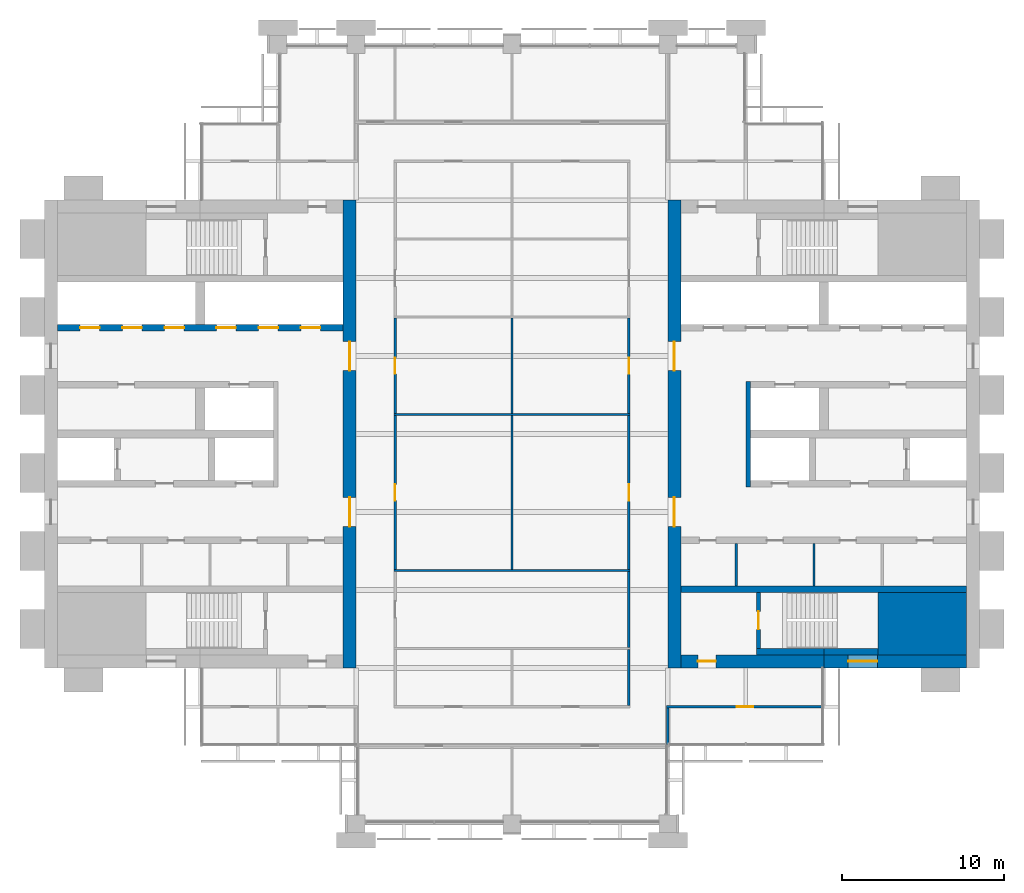
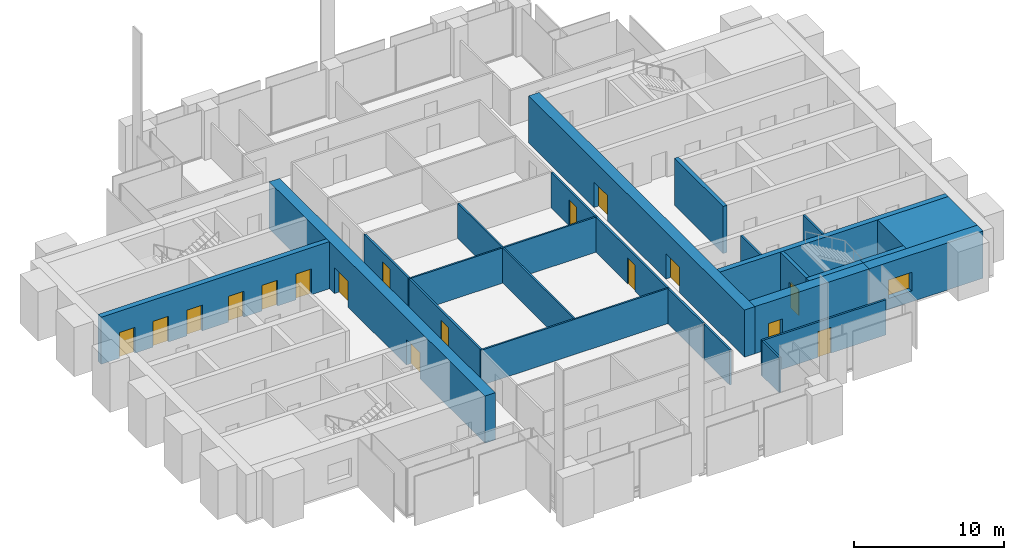
# One storey, part 9 of 13: 25 walls, 17 doors, 1 window, 18 openings.
"""IFC4 building model written with IfcOpenShell, lengths in metres."""

from ifc_helpers import new_model, si_unit, direction, frame, frame_2d, origin, place, context, subcontext, project, spatial, rectangle, extrude, material, layer, layer_set, type_object, element, fill, save


model = new_model("IFC4")

# Units and contexts
model_context = context("Model", 3, precision=1e-05, world=origin(), true_north=direction((0.0, 1.0)))
body_context = subcontext(model_context, "Body", "Model", "MODEL_VIEW")
ifc_project = project(units=[si_unit("LENGTHUNIT", "METRE"), si_unit("AREAUNIT", "SQUARE_METRE"), si_unit("VOLUMEUNIT", "CUBIC_METRE"), si_unit("PLANEANGLEUNIT", "RADIAN"), si_unit("MASSUNIT", "GRAM", prefix="KILO")], contexts=[model_context])

# Site, building, storey
site_placement = place(None, origin())
site = spatial("IfcSite", under=ifc_project, at=site_placement, CompositionType="ELEMENT")
building_placement = place(site_placement, origin())
building = spatial("IfcBuilding", under=site, at=building_placement, Name="Baori Bourse Tower", CompositionType="ELEMENT")
storey_placement = place(building_placement, frame((0.0, 0.0, 201.199951171875)))
storey = spatial("IfcBuildingStorey", under=building, at=storey_placement, Name="L43", CompositionType="ELEMENT", Elevation=201.199951171875)

# Walls
ifc_material_1 = material(Name="Concrete f'c 50 MPa", Category="concrete")
wall_type_1 = type_object("IfcWallType", Name="Core corner block f'c 50", PredefinedType="SHEAR", material=ifc_material_1)
wall_1_placement = place(storey_placement, frame((51.35009765625, 12.324951171875, 0.0), z_axis=(0.0, 0.0, 1.0), x_axis=(1.0, 0.0, 0.0)))
element("IfcWall", 1, at=wall_1_placement, inside=storey, type_object=wall_type_1, Name="Core wall E05", PredefinedType="SHEAR", context=body_context, shape_type="SweptSolid", body=[
    extrude(rectangle(XDim=5.449951171875, YDim=3.85009765625, at=frame_2d((2.72509765625, 0.0))), origin(), (0.0, 0.0, 1.0), 3.840087890625),
])
ifc_material_2 = material(Name="Blockwork partition", Category="masonry")
ifc_layer_1 = layer(ifc_material_2, 0.14990234375)
ifc_layer_set_1 = layer_set([ifc_layer_1], Name="Core partition 150")
wall_type_2 = type_object("IfcWallType", Name="Core partition 150", PredefinedType="PARTITIONING", material=ifc_layer_set_1)
for number, where, z_axis, x_axis, name in (
    (2, (47.39990234375, 14.64990234375, 0.0), (0.0, 0.0, 1.0), (0.0, 1.0, 0.0), "Partition wall E11"),
    (3, (42.60009765625, 14.64990234375, 0.0), (0.0, 0.0, 1.0), (0.0, 1.0, 0.0), "Partition wall E12"),
):
    element("IfcWall", number, at=place(storey_placement, frame(where, z_axis=z_axis, x_axis=x_axis)), inside=storey, type_object=wall_type_2, Name=name, PredefinedType="PARTITIONING", context=body_context, shape_type="SweptSolid", body=[
        extrude(rectangle(XDim=2.60009765625, YDim=0.14990234375, at=frame_2d((1.300048828125, 0.0))), origin(), (0.0, 0.0, 1.0), 3.840087890625),
    ])

# Wall, openings, doors
ifc_material_3 = material(Name="Concrete f'c 50 MPa", Category="concrete")
ifc_layer_2 = layer(ifc_material_3, 0.800048828125)
ifc_layer_set_2 = layer_set([ifc_layer_2], Name="Core wall 800 f'c 50")
wall_type_3 = type_object("IfcWallType", Name="Core wall 800 f'c 50", PredefinedType="SHEAR", material=ifc_layer_set_2)
wall_2_placement = place(storey_placement, frame((18.800048828125, 38.39990234375, 0.0), z_axis=(0.0, 0.0, 1.0), x_axis=(0.0, -1.0, 0.0)))
wall_2 = element("IfcWall", 4, at=wall_2_placement, inside=storey, type_object=wall_type_3, Name="Core wall W04", PredefinedType="SHEAR", context=body_context, shape_type="SweptSolid", body=[
    extrude(rectangle(XDim=28.7998046875, YDim=0.800048828125, at=frame_2d((14.39990234375, 0.0))), origin(), (0.0, 0.0, 1.0), 3.840087890625),
])
opening_1_placement = place(wall_2_placement, frame((18.300048828125, 0.0, 0.0)))
opening_1 = element("IfcOpeningElement", 5, at=opening_1_placement, cuts=wall_2, Name="Opening L43-D107", PredefinedType="OPENING", context=body_context, shape_type="SweptSolid", body=[
    extrude(rectangle(XDim=1.800048828125, YDim=2.10009765625, at=frame_2d((0.89990234375, 1.050048828125))), frame((0.0, 0.409912109375, 0.0), z_axis=(0.0, -1.0, 0.0), x_axis=(1.0, 0.0, 0.0)), (0.0, 0.0, 1.0), 0.820068359375),
])
opening_2_placement = place(wall_2_placement, frame((8.699951171875, 0.0, 0.0)))
opening_2 = element("IfcOpeningElement", 6, at=opening_2_placement, cuts=wall_2, Name="Opening L43-D108", PredefinedType="OPENING", context=body_context, shape_type="SweptSolid", body=[
    extrude(rectangle(XDim=1.800048828125, YDim=2.10009765625, at=frame_2d((0.89990234375, 1.050048828125))), frame((0.0, 0.409912109375, 0.0), z_axis=(0.0, -1.0, 0.0), x_axis=(1.0, 0.0, 0.0)), (0.0, 0.0, 1.0), 0.820068359375),
])
ifc_material_4 = material(Name="Painted steel door", Category="steel")
door_type_1 = type_object("IfcDoorType", Name="Core lobby door 1800", OperationType="DOUBLE_DOOR_SINGLE_SWING", PredefinedType="DOOR", material=ifc_material_4)
door_1_placement = place(opening_1_placement, origin())
door_1 = element("IfcDoor", 7, at=door_1_placement, inside=storey, type_object=door_type_1, Name="Lobby door W L43", OperationType="DOUBLE_DOOR_SINGLE_SWING", OverallHeight=2.10009765625, OverallWidth=1.800048828125, PredefinedType="DOOR", context=body_context, shape_type="SweptSolid", body=[
    extrude(rectangle(XDim=1.800048828125, YDim=2.10009765625, at=frame_2d((0.89990234375, 1.050048828125))), frame((0.0, 0.02490234375, 0.0), z_axis=(0.0, -1.0, 0.0), x_axis=(1.0, 0.0, 0.0)), (0.0, 0.0, 1.0), 0.050048828125),
])
fill(opening_1, door_1)
door_2_placement = place(opening_2_placement, origin())
door_2 = element("IfcDoor", 8, at=door_2_placement, inside=storey, type_object=door_type_1, Name="Lobby door W L43", OperationType="DOUBLE_DOOR_SINGLE_SWING", OverallHeight=2.10009765625, OverallWidth=1.800048828125, PredefinedType="DOOR", context=body_context, shape_type="SweptSolid", body=[
    extrude(rectangle(XDim=1.800048828125, YDim=2.10009765625, at=frame_2d((0.89990234375, 1.050048828125))), frame((0.0, 0.02490234375, 0.0), z_axis=(0.0, -1.0, 0.0), x_axis=(1.0, 0.0, 0.0)), (0.0, 0.0, 1.0), 0.050048828125),
])
fill(opening_2, door_2)

# Wall, opening, window
wall_3_placement = place(storey_placement, frame((56.800048828125, 10.0, 0.0), z_axis=(0.0, 0.0, 1.0), x_axis=(-1.0, 0.0, 0.0)))
wall_3 = element("IfcWall", 9, at=wall_3_placement, inside=storey, type_object=wall_type_3, Name="Core wall E02", PredefinedType="SHEAR", context=body_context, shape_type="SweptSolid", body=[
    extrude(rectangle(XDim=8.800048828125, YDim=0.800048828125, at=frame_2d((4.39990234375, 0.0))), origin(), (0.0, 0.0, 1.0), 3.840087890625),
])
opening_3_placement = place(wall_3_placement, frame((5.5, 0.0, 0.89990234375)))
opening_3 = element("IfcOpeningElement", 10, at=opening_3_placement, cuts=wall_3, Name="Opening L43-KW203", PredefinedType="OPENING", context=body_context, shape_type="SweptSolid", body=[
    extrude(rectangle(XDim=1.800048828125, YDim=1.5, at=frame_2d((0.89990234375, 0.75))), frame((0.0, 0.409912109375, 0.0), z_axis=(0.0, -1.0, 0.0), x_axis=(1.0, 0.0, 0.0)), (0.0, 0.0, 1.0), 0.820068359375),
])
ifc_material_5 = material(Name="Pale anodised aluminium", Category="aluminium")
window_type = type_object("IfcWindowType", Name="Stair window 1800 x 1500", PartitioningType="SINGLE_PANEL", PredefinedType="WINDOW", material=ifc_material_5)
window_placement = place(opening_3_placement, origin())
window = element("IfcWindow", 11, at=window_placement, inside=storey, type_object=window_type, Name="Stair window E L43 3", OverallHeight=1.5, OverallWidth=1.800048828125, PartitioningType="SINGLE_PANEL", PredefinedType="WINDOW", context=body_context, shape_type="SweptSolid", body=[
    extrude(rectangle(XDim=1.800048828125, YDim=1.5, at=frame_2d((0.89990234375, 0.75))), frame((0.0, 0.030029296875, 0.0), z_axis=(0.0, -1.0, 0.0), x_axis=(1.0, 0.0, 0.0)), (0.0, 0.0, 1.0), 0.06005859375),
])
fill(opening_3, window)

# Wall, opening, door
wall_4_placement = place(storey_placement, frame((48.0, 10.0, 0.0), z_axis=(0.0, 0.0, 1.0), x_axis=(-1.0, 0.0, 0.0)))
wall_4 = element("IfcWall", 12, at=wall_4_placement, inside=storey, type_object=wall_type_3, Name="Core wall E03", PredefinedType="SHEAR", context=body_context, shape_type="SweptSolid", body=[
    extrude(rectangle(XDim=8.800048828125, YDim=0.800048828125, at=frame_2d((4.39990234375, 0.0))), origin(), (0.0, 0.0, 1.0), 3.840087890625),
])
opening_4_placement = place(wall_4_placement, frame((6.64990234375, 0.0, 0.0)))
opening_4 = element("IfcOpeningElement", 13, at=opening_4_placement, cuts=wall_4, Name="Opening L43-D202", PredefinedType="OPENING", context=body_context, shape_type="SweptSolid", body=[
    extrude(rectangle(XDim=1.10009765625, YDim=2.10009765625, at=frame_2d((0.550048828125, 1.050048828125))), frame((0.0, 0.409912109375, 0.0), z_axis=(0.0, -1.0, 0.0), x_axis=(1.0, 0.0, 0.0)), (0.0, 0.0, 1.0), 0.820068359375),
])
ifc_material_6 = material(Name="Painted steel door", Category="steel")
door_type_2 = type_object("IfcDoorType", Name="Stair door 1100", OperationType="SINGLE_SWING_LEFT", PredefinedType="DOOR", material=ifc_material_6)
door_3_placement = place(opening_4_placement, origin())
door_3 = element("IfcDoor", 14, at=door_3_placement, inside=storey, type_object=door_type_2, Name="Stair vestibule door A E L43", OperationType="SINGLE_SWING_LEFT", OverallHeight=2.10009765625, OverallWidth=1.10009765625, PredefinedType="DOOR", context=body_context, shape_type="SweptSolid", body=[
    extrude(rectangle(XDim=1.10009765625, YDim=2.10009765625, at=frame_2d((0.550048828125, 1.050048828125))), frame((0.0, 0.02490234375, 0.0), z_axis=(0.0, -1.0, 0.0), x_axis=(1.0, 0.0, 0.0)), (0.0, 0.0, 1.0), 0.050048828125),
])
fill(opening_4, door_3)

# Wall, openings, doors
wall_5_placement = place(storey_placement, frame((38.800048828125, 9.60009765625, 0.0), z_axis=(0.0, 0.0, 1.0), x_axis=(0.0, 1.0, 0.0)))
wall_5 = element("IfcWall", 15, at=wall_5_placement, inside=storey, type_object=wall_type_3, Name="Core wall E04", PredefinedType="SHEAR", context=body_context, shape_type="SweptSolid", body=[
    extrude(rectangle(XDim=28.7998046875, YDim=0.800048828125, at=frame_2d((14.39990234375, 0.0))), origin(), (0.0, 0.0, 1.0), 3.840087890625),
])
opening_5_placement = place(wall_5_placement, frame((8.699951171875, 0.0, 0.0)))
opening_5 = element("IfcOpeningElement", 16, at=opening_5_placement, cuts=wall_5, Name="Opening L43-D207", PredefinedType="OPENING", context=body_context, shape_type="SweptSolid", body=[
    extrude(rectangle(XDim=1.800048828125, YDim=2.10009765625, at=frame_2d((0.89990234375, 1.050048828125))), frame((0.0, 0.409912109375, 0.0), z_axis=(0.0, -1.0, 0.0), x_axis=(1.0, 0.0, 0.0)), (0.0, 0.0, 1.0), 0.820068359375),
])
opening_6_placement = place(wall_5_placement, frame((18.300048828125, 0.0, 0.0)))
opening_6 = element("IfcOpeningElement", 17, at=opening_6_placement, cuts=wall_5, Name="Opening L43-D208", PredefinedType="OPENING", context=body_context, shape_type="SweptSolid", body=[
    extrude(rectangle(XDim=1.800048828125, YDim=2.10009765625, at=frame_2d((0.89990234375, 1.050048828125))), frame((0.0, 0.409912109375, 0.0), z_axis=(0.0, -1.0, 0.0), x_axis=(1.0, 0.0, 0.0)), (0.0, 0.0, 1.0), 0.820068359375),
])
door_4_placement = place(opening_5_placement, origin())
door_4 = element("IfcDoor", 18, at=door_4_placement, inside=storey, type_object=door_type_1, Name="Lobby door E L43", OperationType="DOUBLE_DOOR_SINGLE_SWING", OverallHeight=2.10009765625, OverallWidth=1.800048828125, PredefinedType="DOOR", context=body_context, shape_type="SweptSolid", body=[
    extrude(rectangle(XDim=1.800048828125, YDim=2.10009765625, at=frame_2d((0.89990234375, 1.050048828125))), frame((0.0, 0.02490234375, 0.0), z_axis=(0.0, -1.0, 0.0), x_axis=(1.0, 0.0, 0.0)), (0.0, 0.0, 1.0), 0.050048828125),
])
fill(opening_5, door_4)
door_5_placement = place(opening_6_placement, origin())
door_5 = element("IfcDoor", 19, at=door_5_placement, inside=storey, type_object=door_type_1, Name="Lobby door E L43", OperationType="DOUBLE_DOOR_SINGLE_SWING", OverallHeight=2.10009765625, OverallWidth=1.800048828125, PredefinedType="DOOR", context=body_context, shape_type="SweptSolid", body=[
    extrude(rectangle(XDim=1.800048828125, YDim=2.10009765625, at=frame_2d((0.89990234375, 1.050048828125))), frame((0.0, 0.02490234375, 0.0), z_axis=(0.0, -1.0, 0.0), x_axis=(1.0, 0.0, 0.0)), (0.0, 0.0, 1.0), 0.050048828125),
])
fill(opening_6, door_5)

# Wall, opening, door
ifc_material_7 = material(Name="Gypsum board partition")
ifc_layer_3 = layer(ifc_material_7, 0.14990234375)
ifc_layer_set_3 = layer_set([ifc_layer_3], Name="Corridor partition 150")
wall_type_4 = type_object("IfcWallType", Name="Corridor partition 150", PredefinedType="PARTITIONING", material=ifc_layer_set_3)
wall_6_placement = place(storey_placement, frame((38.324951171875, 7.199951171875, 0.0), z_axis=(0.0, 0.0, 1.0), x_axis=(1.0, 0.0, 0.0)))
wall_6 = element("IfcWall", 20, at=wall_6_placement, inside=storey, type_object=wall_type_4, Name="Partition", PredefinedType="PARTITIONING", context=body_context, shape_type="SweptSolid", body=[
    extrude(rectangle(XDim=9.574951171875, YDim=0.14990234375, at=frame_2d((4.78759765625, 0.0))), origin(), (0.0, 0.0, 1.0), 2.869873046875),
])
opening_7_placement = place(wall_6_placement, frame((4.324951171875, 0.0, 0.0)))
opening_7 = element("IfcOpeningElement", 21, at=opening_7_placement, cuts=wall_6, Name="Opening L43-D07", PredefinedType="OPENING", context=body_context, shape_type="SweptSolid", body=[
    extrude(rectangle(XDim=1.0, YDim=2.10009765625, at=frame_2d((0.5, 1.050048828125))), frame((0.0, 0.0849609375, 0.0), z_axis=(0.0, -1.0, 0.0), x_axis=(1.0, 0.0, 0.0)), (0.0, 0.0, 1.0), 0.169921875),
])
ifc_material_8 = material(Name="Timber door leaf", Category="wood")
door_type_3 = type_object("IfcDoorType", Name="Door 1000 x 2100", OperationType="SINGLE_SWING_LEFT", PredefinedType="DOOR", material=ifc_material_8)
door_6_placement = place(opening_7_placement, origin())
door_6 = element("IfcDoor", 22, at=door_6_placement, inside=storey, type_object=door_type_3, Name="Door", OperationType="SINGLE_SWING_RIGHT", OverallHeight=2.10009765625, OverallWidth=1.0, PredefinedType="DOOR", context=body_context, shape_type="SweptSolid", body=[
    extrude(rectangle(XDim=1.0, YDim=2.10009765625, at=frame_2d((0.5, 1.050048828125))), frame((0.0, 0.02490234375, 0.0), z_axis=(0.0, -1.0, 0.0), x_axis=(1.0, 0.0, 0.0)), (0.0, 0.0, 1.0), 0.050048828125),
])
fill(opening_7, door_6)

wall_7_placement = place(storey_placement, frame((21.60009765625, 15.66259765625, 0.0), z_axis=(0.0, 0.0, 1.0), x_axis=(0.0, 1.0, 0.0)))
wall_7 = element("IfcWall", 23, at=wall_7_placement, inside=storey, type_object=wall_type_4, Name="Partition", PredefinedType="PARTITIONING", context=body_context, shape_type="SweptSolid", body=[
    extrude(rectangle(XDim=9.474853515625, YDim=0.14990234375, at=frame_2d((4.7373046875, 0.0))), origin(), (0.0, 0.0, 1.0), 2.869873046875),
])
opening_8_placement = place(wall_7_placement, frame((4.237548828125, 0.0, 0.0)))
opening_8 = element("IfcOpeningElement", 24, at=opening_8_placement, cuts=wall_7, Name="Opening L43-D18", PredefinedType="OPENING", context=body_context, shape_type="SweptSolid", body=[
    extrude(rectangle(XDim=1.0, YDim=2.10009765625, at=frame_2d((0.5, 1.050048828125))), frame((0.0, 0.0849609375, 0.0), z_axis=(0.0, -1.0, 0.0), x_axis=(1.0, 0.0, 0.0)), (0.0, 0.0, 1.0), 0.169921875),
])
door_7_placement = place(opening_8_placement, origin())
door_7 = element("IfcDoor", 25, at=door_7_placement, inside=storey, type_object=door_type_3, Name="Door", OperationType="SINGLE_SWING_LEFT", OverallHeight=2.10009765625, OverallWidth=1.0, PredefinedType="DOOR", context=body_context, shape_type="SweptSolid", body=[
    extrude(rectangle(XDim=1.0, YDim=2.10009765625, at=frame_2d((0.5, 1.050048828125))), frame((0.0, 0.02490234375, 0.0), z_axis=(0.0, -1.0, 0.0), x_axis=(1.0, 0.0, 0.0)), (0.0, 0.0, 1.0), 0.050048828125),
])
fill(opening_8, door_7)

wall_8_placement = place(storey_placement, frame((21.60009765625, 25.262451171875, 0.0), z_axis=(0.0, 0.0, 1.0), x_axis=(0.0, 1.0, 0.0)))
wall_8 = element("IfcWall", 26, at=wall_8_placement, inside=storey, type_object=wall_type_4, Name="Partition", PredefinedType="PARTITIONING", context=body_context, shape_type="SweptSolid", body=[
    extrude(rectangle(XDim=5.875, YDim=0.14990234375, at=frame_2d((2.9375, 0.0))), origin(), (0.0, 0.0, 1.0), 2.869873046875),
])
opening_9_placement = place(wall_8_placement, frame((2.4375, 0.0, 0.0)))
opening_9 = element("IfcOpeningElement", 27, at=opening_9_placement, cuts=wall_8, Name="Opening L43-D19", PredefinedType="OPENING", context=body_context, shape_type="SweptSolid", body=[
    extrude(rectangle(XDim=1.0, YDim=2.10009765625, at=frame_2d((0.5, 1.050048828125))), frame((0.0, 0.0849609375, 0.0), z_axis=(0.0, -1.0, 0.0), x_axis=(1.0, 0.0, 0.0)), (0.0, 0.0, 1.0), 0.169921875),
])
door_8_placement = place(opening_9_placement, origin())
door_8 = element("IfcDoor", 28, at=door_8_placement, inside=storey, type_object=door_type_3, Name="Door", OperationType="SINGLE_SWING_LEFT", OverallHeight=2.10009765625, OverallWidth=1.0, PredefinedType="DOOR", context=body_context, shape_type="SweptSolid", body=[
    extrude(rectangle(XDim=1.0, YDim=2.10009765625, at=frame_2d((0.5, 1.050048828125))), frame((0.0, 0.02490234375, 0.0), z_axis=(0.0, -1.0, 0.0), x_axis=(1.0, 0.0, 0.0)), (0.0, 0.0, 1.0), 0.050048828125),
])
fill(opening_9, door_8)

# Walls
wall_9_placement = place(storey_placement, frame((36.0, 7.27490234375, 0.0), z_axis=(0.0, 0.0, 1.0), x_axis=(0.0, 1.0, 0.0)))
element("IfcWall", 29, at=wall_9_placement, inside=storey, type_object=wall_type_4, Name="Partition", PredefinedType="PARTITIONING", context=body_context, shape_type="SweptSolid", body=[
    extrude(rectangle(XDim=3.462646484375, YDim=0.14990234375, at=frame_2d((1.7314453125, 0.0))), origin(), (0.0, 0.0, 1.0), 2.869873046875),
])
wall_10_placement = place(storey_placement, frame((36.0, 10.862548828125, 0.0), z_axis=(0.0, 0.0, 1.0), x_axis=(0.0, 1.0, 0.0)))
element("IfcWall", 30, at=wall_10_placement, inside=storey, type_object=wall_type_4, Name="Partition", PredefinedType="PARTITIONING", context=body_context, shape_type="SweptSolid", body=[
    extrude(rectangle(XDim=4.675048828125, YDim=0.14990234375, at=frame_2d((2.33740234375, 0.0))), origin(), (0.0, 0.0, 1.0), 2.869873046875),
])

# Wall, opening, door
wall_11_placement = place(storey_placement, frame((36.0, 15.66259765625, 0.0), z_axis=(0.0, 0.0, 1.0), x_axis=(0.0, 1.0, 0.0)))
wall_11 = element("IfcWall", 31, at=wall_11_placement, inside=storey, type_object=wall_type_4, Name="Partition", PredefinedType="PARTITIONING", context=body_context, shape_type="SweptSolid", body=[
    extrude(rectangle(XDim=9.474853515625, YDim=0.14990234375, at=frame_2d((4.7373046875, 0.0))), origin(), (0.0, 0.0, 1.0), 2.869873046875),
])
opening_10_placement = place(wall_11_placement, frame((4.237548828125, 0.0, 0.0)))
opening_10 = element("IfcOpeningElement", 32, at=opening_10_placement, cuts=wall_11, Name="Opening L43-D21", PredefinedType="OPENING", context=body_context, shape_type="SweptSolid", body=[
    extrude(rectangle(XDim=1.0, YDim=2.10009765625, at=frame_2d((0.5, 1.050048828125))), frame((0.0, 0.0849609375, 0.0), z_axis=(0.0, -1.0, 0.0), x_axis=(1.0, 0.0, 0.0)), (0.0, 0.0, 1.0), 0.169921875),
])
door_9_placement = place(opening_10_placement, origin())
door_9 = element("IfcDoor", 33, at=door_9_placement, inside=storey, type_object=door_type_3, Name="Door", OperationType="SINGLE_SWING_RIGHT", OverallHeight=2.10009765625, OverallWidth=1.0, PredefinedType="DOOR", context=body_context, shape_type="SweptSolid", body=[
    extrude(rectangle(XDim=1.0, YDim=2.10009765625, at=frame_2d((0.5, 1.050048828125))), frame((0.0, 0.02490234375, 0.0), z_axis=(0.0, -1.0, 0.0), x_axis=(1.0, 0.0, 0.0)), (0.0, 0.0, 1.0), 0.050048828125),
])
fill(opening_10, door_9)

wall_12_placement = place(storey_placement, frame((36.0, 25.262451171875, 0.0), z_axis=(0.0, 0.0, 1.0), x_axis=(0.0, 1.0, 0.0)))
wall_12 = element("IfcWall", 34, at=wall_12_placement, inside=storey, type_object=wall_type_4, Name="Partition", PredefinedType="PARTITIONING", context=body_context, shape_type="SweptSolid", body=[
    extrude(rectangle(XDim=5.875, YDim=0.14990234375, at=frame_2d((2.9375, 0.0))), origin(), (0.0, 0.0, 1.0), 2.869873046875),
])
opening_11_placement = place(wall_12_placement, frame((2.4375, 0.0, 0.0)))
opening_11 = element("IfcOpeningElement", 35, at=opening_11_placement, cuts=wall_12, Name="Opening L43-D22", PredefinedType="OPENING", context=body_context, shape_type="SweptSolid", body=[
    extrude(rectangle(XDim=1.0, YDim=2.10009765625, at=frame_2d((0.5, 1.050048828125))), frame((0.0, 0.0849609375, 0.0), z_axis=(0.0, -1.0, 0.0), x_axis=(1.0, 0.0, 0.0)), (0.0, 0.0, 1.0), 0.169921875),
])
door_10_placement = place(opening_11_placement, origin())
door_10 = element("IfcDoor", 36, at=door_10_placement, inside=storey, type_object=door_type_3, Name="Door", OperationType="SINGLE_SWING_RIGHT", OverallHeight=2.10009765625, OverallWidth=1.0, PredefinedType="DOOR", context=body_context, shape_type="SweptSolid", body=[
    extrude(rectangle(XDim=1.0, YDim=2.10009765625, at=frame_2d((0.5, 1.050048828125))), frame((0.0, 0.02490234375, 0.0), z_axis=(0.0, -1.0, 0.0), x_axis=(1.0, 0.0, 0.0)), (0.0, 0.0, 1.0), 0.050048828125),
])
fill(opening_11, door_10)

# Walls
wall_13_placement = place(storey_placement, frame((38.39990234375, 4.875, 0.0), z_axis=(0.0, 0.0, 1.0), x_axis=(0.0, 1.0, 0.0)))
element("IfcWall", 37, at=wall_13_placement, inside=storey, type_object=wall_type_4, Name="Partition", PredefinedType="PARTITIONING", context=body_context, shape_type="SweptSolid", body=[
    extrude(rectangle(XDim=2.25, YDim=0.14990234375, at=frame_2d((1.125, 0.0))), origin(), (0.0, 0.0, 1.0), 2.869873046875),
])
ifc_material_9 = material(Name="Gypsum board partition")
ifc_layer_4 = layer(ifc_material_9, 0.125)
ifc_layer_set_4 = layer_set([ifc_layer_4], Name="Partition 125")
wall_type_5 = type_object("IfcWallType", Name="Partition 125", PredefinedType="PARTITIONING", material=ifc_layer_set_4)
for number, where, z_axis, x_axis, name in (
    (38, (21.52490234375, 15.60009765625, 0.0), (0.0, 0.0, 1.0), (1.0, 0.0, 0.0), "Partition"),
    (39, (21.52490234375, 25.199951171875, 0.0), (0.0, 0.0, 1.0), (1.0, 0.0, 0.0), "Partition"),
):
    element("IfcWall", number, at=place(storey_placement, frame(where, z_axis=z_axis, x_axis=x_axis)), inside=storey, type_object=wall_type_5, Name=name, PredefinedType="PARTITIONING", context=body_context, shape_type="SweptSolid", body=[
        extrude(rectangle(XDim=14.550048828125, YDim=0.125, at=frame_2d((7.27490234375, 0.0))), origin(), (0.0, 0.0, 1.0), 2.869873046875),
    ])
wall_14_placement = place(storey_placement, frame((28.800048828125, 15.66259765625, 0.0), z_axis=(0.0, 0.0, 1.0), x_axis=(0.0, 1.0, 0.0)))
element("IfcWall", 40, at=wall_14_placement, inside=storey, type_object=wall_type_5, Name="Partition", PredefinedType="PARTITIONING", context=body_context, shape_type="SweptSolid", body=[
    extrude(rectangle(XDim=9.474853515625, YDim=0.125, at=frame_2d((4.7373046875, 0.0))), origin(), (0.0, 0.0, 1.0), 2.869873046875),
])
wall_15_placement = place(storey_placement, frame((28.800048828125, 25.262451171875, 0.0), z_axis=(0.0, 0.0, 1.0), x_axis=(0.0, 1.0, 0.0)))
element("IfcWall", 41, at=wall_15_placement, inside=storey, type_object=wall_type_5, Name="Partition", PredefinedType="PARTITIONING", context=body_context, shape_type="SweptSolid", body=[
    extrude(rectangle(XDim=5.875, YDim=0.125, at=frame_2d((2.9375, 0.0))), origin(), (0.0, 0.0, 1.0), 2.869873046875),
])

# Wall, opening, door
ifc_material_10 = material(Name="Concrete f'c 50 MPa", Category="concrete")
ifc_layer_5 = layer(ifc_material_10, 0.25)
ifc_layer_set_5 = layer_set([ifc_layer_5], Name="Shaft wall 250 f'c 50")
wall_type_6 = type_object("IfcWallType", Name="Shaft wall 250 f'c 50", PredefinedType="SHEAR", material=ifc_layer_set_5)
wall_16_placement = place(storey_placement, frame((43.97509765625, 10.800048828125, 0.0), z_axis=(0.0, 0.0, 1.0), x_axis=(0.0, 1.0, 0.0)))
wall_16 = element("IfcWall", 42, at=wall_16_placement, inside=storey, type_object=wall_type_6, Name="Core wall E08", PredefinedType="SHEAR", context=body_context, shape_type="SweptSolid", body=[
    extrude(rectangle(XDim=3.449951171875, YDim=0.25, at=frame_2d((1.72509765625, 0.0))), origin(), (0.0, 0.0, 1.0), 3.840087890625),
])
opening_12_placement = place(wall_16_placement, frame((1.175048828125, 0.0, 0.0)))
opening_12 = element("IfcOpeningElement", 43, at=opening_12_placement, cuts=wall_16, Name="Opening L43-D201", PredefinedType="OPENING", context=body_context, shape_type="SweptSolid", body=[
    extrude(rectangle(XDim=1.10009765625, YDim=2.10009765625, at=frame_2d((0.550048828125, 1.050048828125))), frame((0.0, 0.135009765625, 0.0), z_axis=(0.0, -1.0, 0.0), x_axis=(1.0, 0.0, 0.0)), (0.0, 0.0, 1.0), 0.27001953125),
])
door_11_placement = place(opening_12_placement, origin())
door_11 = element("IfcDoor", 44, at=door_11_placement, inside=storey, type_object=door_type_2, Name="Stair door A E L43", OperationType="SINGLE_SWING_LEFT", OverallHeight=2.10009765625, OverallWidth=1.10009765625, PredefinedType="DOOR", context=body_context, shape_type="SweptSolid", body=[
    extrude(rectangle(XDim=1.10009765625, YDim=2.10009765625, at=frame_2d((0.550048828125, 1.050048828125))), frame((0.0, 0.02490234375, 0.0), z_axis=(0.0, -1.0, 0.0), x_axis=(1.0, 0.0, 0.0)), (0.0, 0.0, 1.0), 0.050048828125),
])
fill(opening_12, door_11)

# Wall
ifc_material_11 = material(Name="Concrete f'c 50 MPa", Category="concrete")
ifc_layer_6 = layer(ifc_material_11, 0.300048828125)
ifc_layer_set_6 = layer_set([ifc_layer_6], Name="Shaft wall 300 f'c 50")
wall_type_7 = type_object("IfcWallType", Name="Shaft wall 300 f'c 50", PredefinedType="SHEAR", material=ifc_layer_set_6)
wall_17_placement = place(storey_placement, frame((43.35009765625, 20.75, 0.0), z_axis=(0.0, 0.0, 1.0), x_axis=(0.0, 1.0, 0.0)))
element("IfcWall", 45, at=wall_17_placement, inside=storey, type_object=wall_type_7, Name="Core wall E15", PredefinedType="SHEAR", context=body_context, shape_type="SweptSolid", body=[
    extrude(rectangle(XDim=6.5, YDim=0.300048828125, at=frame_2d((3.25, 0.0))), origin(), (0.0, 0.0, 1.0), 3.840087890625),
])

# Wall, openings, doors
ifc_material_12 = material(Name="Concrete f'c 50 MPa", Category="concrete")
ifc_layer_7 = layer(ifc_material_12, 0.39990234375)
ifc_layer_set_7 = layer_set([ifc_layer_7], Name="Shaft wall 400 f'c 50")
wall_type_8 = type_object("IfcWallType", Name="Shaft wall 400 f'c 50", PredefinedType="SHEAR", material=ifc_layer_set_7)
wall_18_placement = place(storey_placement, frame((0.800048828125, 30.550048828125, 0.0), z_axis=(0.0, 0.0, 1.0), x_axis=(1.0, 0.0, 0.0)))
wall_18 = element("IfcWall", 46, at=wall_18_placement, inside=storey, type_object=wall_type_8, Name="Core wall W21", PredefinedType="SHEAR", context=body_context, shape_type="SweptSolid", body=[
    extrude(rectangle(XDim=17.599853515625, YDim=0.39990234375, at=frame_2d((8.7998046875, 0.0))), origin(), (0.0, 0.0, 1.0), 3.840087890625),
])
opening_13_placement = place(wall_18_placement, frame((1.39990234375, 0.0, 0.0)))
opening_13 = element("IfcOpeningElement", 47, at=opening_13_placement, cuts=wall_18, Name="Opening L43-D114", PredefinedType="OPENING", context=body_context, shape_type="SweptSolid", body=[
    extrude(rectangle(XDim=1.199951171875, YDim=2.10009765625, at=frame_2d((0.60009765625, 1.050048828125))), frame((0.0, 0.2099609375, 0.0), z_axis=(0.0, -1.0, 0.0), x_axis=(1.0, 0.0, 0.0)), (0.0, 0.0, 1.0), 0.419921875),
])
opening_14_placement = place(wall_18_placement, frame((4.0, 0.0, 0.0)))
opening_14 = element("IfcOpeningElement", 48, at=opening_14_placement, cuts=wall_18, Name="Opening L43-D115", PredefinedType="OPENING", context=body_context, shape_type="SweptSolid", body=[
    extrude(rectangle(XDim=1.199951171875, YDim=2.10009765625, at=frame_2d((0.60009765625, 1.050048828125))), frame((0.0, 0.2099609375, 0.0), z_axis=(0.0, -1.0, 0.0), x_axis=(1.0, 0.0, 0.0)), (0.0, 0.0, 1.0), 0.419921875),
])
opening_15_placement = place(wall_18_placement, frame((6.60009765625, 0.0, 0.0)))
opening_15 = element("IfcOpeningElement", 49, at=opening_15_placement, cuts=wall_18, Name="Opening L43-D116", PredefinedType="OPENING", context=body_context, shape_type="SweptSolid", body=[
    extrude(rectangle(XDim=1.199951171875, YDim=2.10009765625, at=frame_2d((0.60009765625, 1.050048828125))), frame((0.0, 0.2099609375, 0.0), z_axis=(0.0, -1.0, 0.0), x_axis=(1.0, 0.0, 0.0)), (0.0, 0.0, 1.0), 0.419921875),
])
opening_16_placement = place(wall_18_placement, frame((9.800048828125, 0.0, 0.0)))
opening_16 = element("IfcOpeningElement", 50, at=opening_16_placement, cuts=wall_18, Name="Opening L43-D117", PredefinedType="OPENING", context=body_context, shape_type="SweptSolid", body=[
    extrude(rectangle(XDim=1.199951171875, YDim=2.10009765625, at=frame_2d((0.60009765625, 1.050048828125))), frame((0.0, 0.2099609375, 0.0), z_axis=(0.0, -1.0, 0.0), x_axis=(1.0, 0.0, 0.0)), (0.0, 0.0, 1.0), 0.419921875),
])
opening_17_placement = place(wall_18_placement, frame((12.39990234375, 0.0, 0.0)))
opening_17 = element("IfcOpeningElement", 51, at=opening_17_placement, cuts=wall_18, Name="Opening L43-D118", PredefinedType="OPENING", context=body_context, shape_type="SweptSolid", body=[
    extrude(rectangle(XDim=1.199951171875, YDim=2.10009765625, at=frame_2d((0.60009765625, 1.050048828125))), frame((0.0, 0.2099609375, 0.0), z_axis=(0.0, -1.0, 0.0), x_axis=(1.0, 0.0, 0.0)), (0.0, 0.0, 1.0), 0.419921875),
])
opening_18_placement = place(wall_18_placement, frame((15.0, 0.0, 0.0)))
opening_18 = element("IfcOpeningElement", 52, at=opening_18_placement, cuts=wall_18, Name="Opening L43-D119", PredefinedType="OPENING", context=body_context, shape_type="SweptSolid", body=[
    extrude(rectangle(XDim=1.199951171875, YDim=2.10009765625, at=frame_2d((0.60009765625, 1.050048828125))), frame((0.0, 0.2099609375, 0.0), z_axis=(0.0, -1.0, 0.0), x_axis=(1.0, 0.0, 0.0)), (0.0, 0.0, 1.0), 0.419921875),
])
ifc_material_13 = material(Name="Stainless steel door", Category="steel")
door_type_4 = type_object("IfcDoorType", Name="Lift landing door", OperationType="DOUBLE_DOOR_SLIDING", PredefinedType="DOOR", material=ifc_material_13)
door_12_placement = place(opening_13_placement, origin())
door_12 = element("IfcDoor", 53, at=door_12_placement, inside=storey, type_object=door_type_4, Name="Lift landing door HR1 W L43", OperationType="DOUBLE_DOOR_SLIDING", OverallHeight=2.10009765625, OverallWidth=1.199951171875, PredefinedType="DOOR", context=body_context, shape_type="SweptSolid", body=[
    extrude(rectangle(XDim=1.199951171875, YDim=2.10009765625, at=frame_2d((0.60009765625, 1.050048828125))), frame((0.0, 0.02490234375, 0.0), z_axis=(0.0, -1.0, 0.0), x_axis=(1.0, 0.0, 0.0)), (0.0, 0.0, 1.0), 0.050048828125),
])
fill(opening_13, door_12)
door_13_placement = place(opening_14_placement, origin())
door_13 = element("IfcDoor", 54, at=door_13_placement, inside=storey, type_object=door_type_4, Name="Lift landing door HR2 W L43", OperationType="DOUBLE_DOOR_SLIDING", OverallHeight=2.10009765625, OverallWidth=1.199951171875, PredefinedType="DOOR", context=body_context, shape_type="SweptSolid", body=[
    extrude(rectangle(XDim=1.199951171875, YDim=2.10009765625, at=frame_2d((0.60009765625, 1.050048828125))), frame((0.0, 0.02490234375, 0.0), z_axis=(0.0, -1.0, 0.0), x_axis=(1.0, 0.0, 0.0)), (0.0, 0.0, 1.0), 0.050048828125),
])
fill(opening_14, door_13)
door_14_placement = place(opening_15_placement, origin())
door_14 = element("IfcDoor", 55, at=door_14_placement, inside=storey, type_object=door_type_4, Name="Lift landing door HR3 W L43", OperationType="DOUBLE_DOOR_SLIDING", OverallHeight=2.10009765625, OverallWidth=1.199951171875, PredefinedType="DOOR", context=body_context, shape_type="SweptSolid", body=[
    extrude(rectangle(XDim=1.199951171875, YDim=2.10009765625, at=frame_2d((0.60009765625, 1.050048828125))), frame((0.0, 0.02490234375, 0.0), z_axis=(0.0, -1.0, 0.0), x_axis=(1.0, 0.0, 0.0)), (0.0, 0.0, 1.0), 0.050048828125),
])
fill(opening_15, door_14)
door_15_placement = place(opening_16_placement, origin())
door_15 = element("IfcDoor", 56, at=door_15_placement, inside=storey, type_object=door_type_4, Name="Lift landing door HR4 W L43", OperationType="DOUBLE_DOOR_SLIDING", OverallHeight=2.10009765625, OverallWidth=1.199951171875, PredefinedType="DOOR", context=body_context, shape_type="SweptSolid", body=[
    extrude(rectangle(XDim=1.199951171875, YDim=2.10009765625, at=frame_2d((0.60009765625, 1.050048828125))), frame((0.0, 0.02490234375, 0.0), z_axis=(0.0, -1.0, 0.0), x_axis=(1.0, 0.0, 0.0)), (0.0, 0.0, 1.0), 0.050048828125),
])
fill(opening_16, door_15)
door_16_placement = place(opening_17_placement, origin())
door_16 = element("IfcDoor", 57, at=door_16_placement, inside=storey, type_object=door_type_4, Name="Lift landing door HR5 W L43", OperationType="DOUBLE_DOOR_SLIDING", OverallHeight=2.10009765625, OverallWidth=1.199951171875, PredefinedType="DOOR", context=body_context, shape_type="SweptSolid", body=[
    extrude(rectangle(XDim=1.199951171875, YDim=2.10009765625, at=frame_2d((0.60009765625, 1.050048828125))), frame((0.0, 0.02490234375, 0.0), z_axis=(0.0, -1.0, 0.0), x_axis=(1.0, 0.0, 0.0)), (0.0, 0.0, 1.0), 0.050048828125),
])
fill(opening_17, door_16)
door_17_placement = place(opening_18_placement, origin())
door_17 = element("IfcDoor", 58, at=door_17_placement, inside=storey, type_object=door_type_4, Name="Lift landing door HR6 W L43", OperationType="DOUBLE_DOOR_SLIDING", OverallHeight=2.10009765625, OverallWidth=1.199951171875, PredefinedType="DOOR", context=body_context, shape_type="SweptSolid", body=[
    extrude(rectangle(XDim=1.199951171875, YDim=2.10009765625, at=frame_2d((0.60009765625, 1.050048828125))), frame((0.0, 0.02490234375, 0.0), z_axis=(0.0, -1.0, 0.0), x_axis=(1.0, 0.0, 0.0)), (0.0, 0.0, 1.0), 0.050048828125),
])
fill(opening_18, door_17)

# Walls
wall_19_placement = place(storey_placement, frame((48.0, 10.60009765625, 0.0), z_axis=(0.0, 0.0, 1.0), x_axis=(1.0, 0.0, 0.0)))
element("IfcWall", 59, at=wall_19_placement, inside=storey, type_object=wall_type_8, Name="Core wall E06", PredefinedType="SHEAR", context=body_context, shape_type="SweptSolid", body=[
    extrude(rectangle(XDim=3.35009765625, YDim=0.39990234375, at=frame_2d((1.675048828125, 0.0))), origin(), (0.0, 0.0, 1.0), 3.840087890625),
])
wall_20_placement = place(storey_placement, frame((43.85009765625, 10.60009765625, 0.0), z_axis=(0.0, 0.0, 1.0), x_axis=(1.0, 0.0, 0.0)))
element("IfcWall", 60, at=wall_20_placement, inside=storey, type_object=wall_type_8, Name="Core wall E07", PredefinedType="SHEAR", context=body_context, shape_type="SweptSolid", body=[
    extrude(rectangle(XDim=4.14990234375, YDim=0.39990234375, at=frame_2d((2.074951171875, 0.0))), origin(), (0.0, 0.0, 1.0), 3.840087890625),
])
wall_21_placement = place(storey_placement, frame((39.199951171875, 14.449951171875, 0.0), z_axis=(0.0, 0.0, 1.0), x_axis=(1.0, 0.0, 0.0)))
element("IfcWall", 61, at=wall_21_placement, inside=storey, type_object=wall_type_8, Name="Core wall E09", PredefinedType="SHEAR", context=body_context, shape_type="SweptSolid", body=[
    extrude(rectangle(XDim=17.60009765625, YDim=0.39990234375, at=frame_2d((8.800048828125, 0.0))), origin(), (0.0, 0.0, 1.0), 3.840087890625),
])

save(model, "model.ifc")
